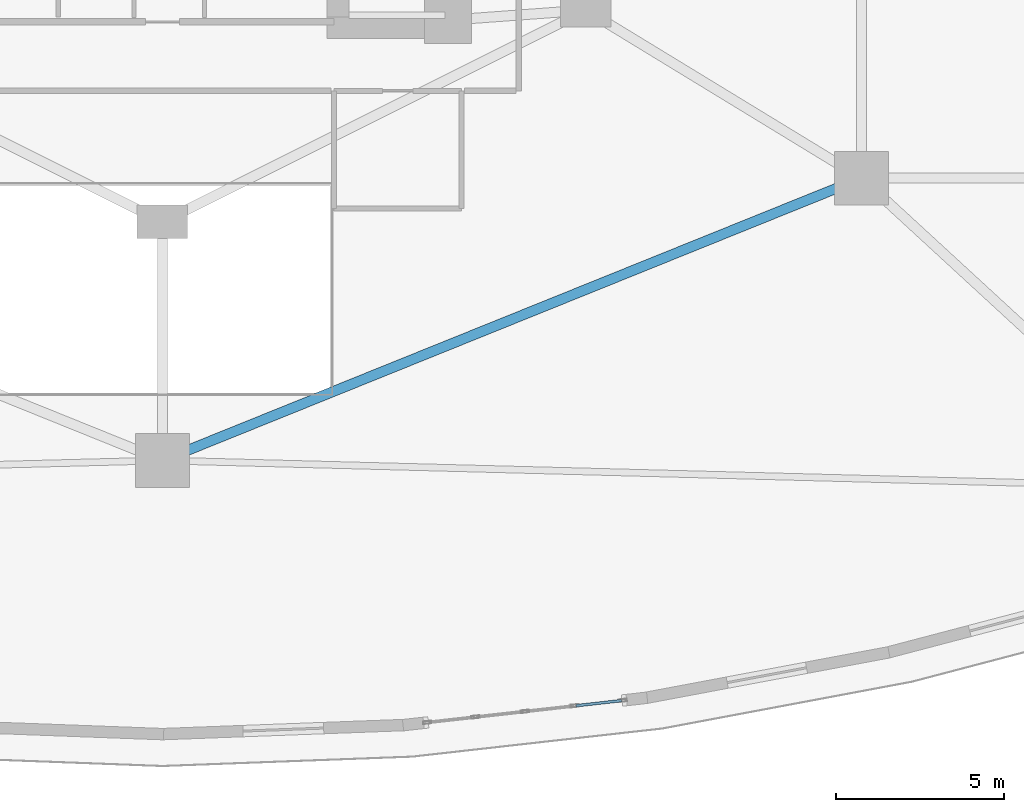
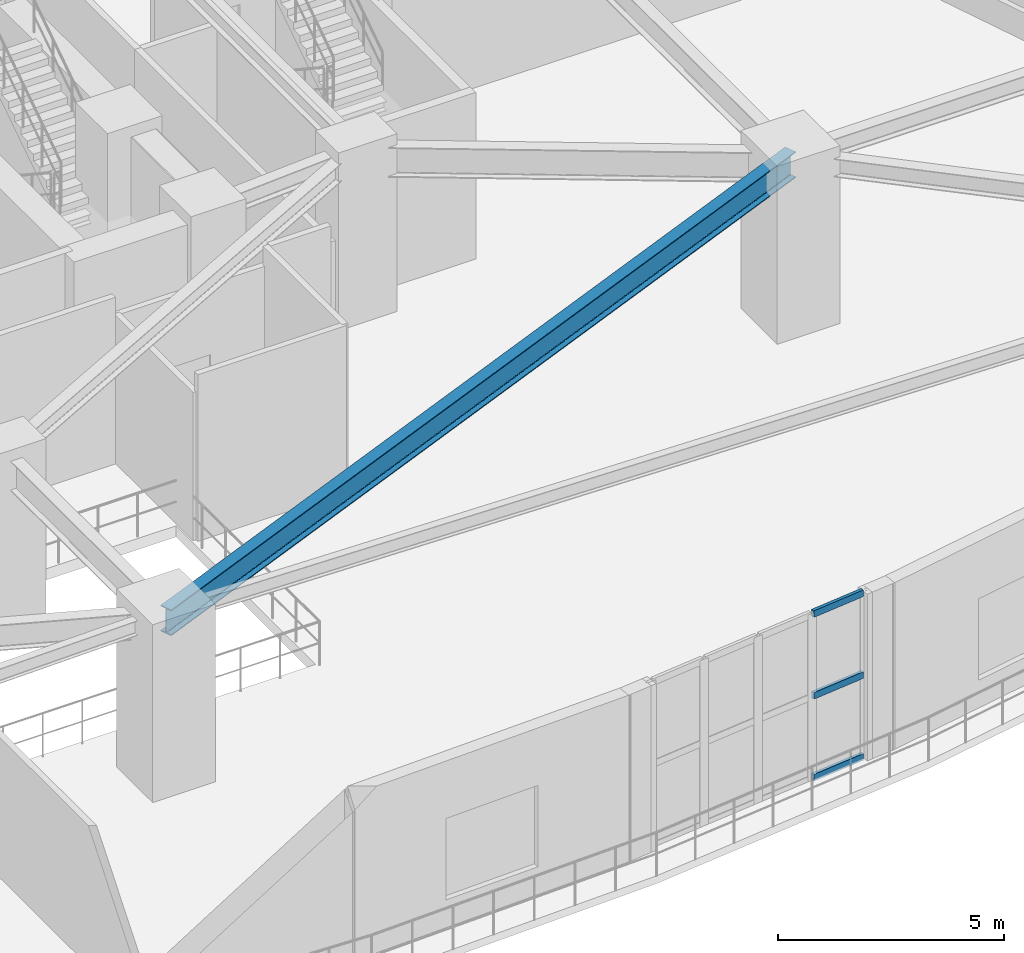
# One storey, part 7 of 25: 3 members, 1 beam, 1 element without a shape of its own.
"""IFC4 building model written with IfcOpenShell, lengths in metres."""

from ifc_helpers import new_model, si_unit, direction, frame, origin, origin_2d, place, context, subcontext, project, spatial, hollow_rectangle, i_section, extrude, material, layer, layer_set, material_profile, profile_set, type_object, element, aggregate, save


model = new_model("IFC4")

# Units and contexts
model_context = context("Model", 3, precision=1e-05, world=origin(), true_north=direction((0.0, 1.0)))
body_context = subcontext(model_context, "Body", "Model", "MODEL_VIEW")
ifc_project = project(units=[si_unit("LENGTHUNIT", "METRE"), si_unit("AREAUNIT", "SQUARE_METRE"), si_unit("VOLUMEUNIT", "CUBIC_METRE"), si_unit("PLANEANGLEUNIT", "RADIAN"), si_unit("MASSUNIT", "GRAM", prefix="KILO")], contexts=[model_context])

# Site, building, storey
site_placement = place(None, origin())
site = spatial("IfcSite", under=ifc_project, at=site_placement, CompositionType="ELEMENT")
building_placement = place(site_placement, origin())
building = spatial("IfcBuilding", under=site, at=building_placement, Name="Miruveldt Soraemaru", CompositionType="ELEMENT")
storey_placement = place(building_placement, frame((0.0, 0.0, 4.800048828125)))
storey = spatial("IfcBuildingStorey", under=building, at=storey_placement, Name="L02", CompositionType="ELEMENT", Elevation=4.800048828125)

# Beam
ifc_material_1 = material(Name="Steel SM355 (355 MPa)", Category="steel")
ifc_material_profile_1 = material_profile(ifc_material_1, i_section(OverallWidth=0.300048828125, OverallDepth=0.699951171875, WebThickness=0.012939453125, FlangeThickness=0.02392578125, FilletRadius=0.028076171875, at=origin_2d()), Name="Steel SM355 (355 MPa)", Category="steel")
ifc_profile_set_1 = profile_set([ifc_material_profile_1], Name="Steel SM355 (355 MPa)")
beam_type = type_object("IfcBeamType", Name="BM-ST-H700", PredefinedType="BEAM", material=ifc_profile_set_1)
beam_placement = place(storey_placement, frame((64.800048828125, 30.800048828125, 4.14990234375), z_axis=(-0.927239874954, -0.374467908231, 0.0), x_axis=(0.374467908231, -0.927239874954, 0.0)))
element("IfcBeam", 1, at=beam_placement, inside=storey, type_object=beam_type, Name="L02 Podium Ring Girder 3", PredefinedType="BEAM", context=body_context, shape_type="SweptSolid", body=[
    extrude(i_section(OverallWidth=0.300048828125, OverallDepth=0.699951171875, WebThickness=0.012939453125, FlangeThickness=0.02392578125, FilletRadius=0.028076171875, at=origin_2d()), origin(), (0.0, 0.0, 1.0), 22.43212890625),
])

# Curtain wall, members
ifc_material_2 = material(Name="Anodised aluminium EN AW-6063 T6", Category="aluminium")
ifc_layer = layer(ifc_material_2, 0.239990234375, Name="Anodised aluminium EN AW-6063 T6", Category="aluminium")
ifc_layer_set = layer_set([ifc_layer], Name="Anodised aluminium EN AW-6063 T6")
curtain_wall_type = type_object("IfcCurtainWallType", Name="CW-SYS-1", PredefinedType="USERDEFINED", material=ifc_layer_set)
curtain_wall_placement = place(storey_placement, origin())
curtain_wall = element("IfcCurtainWall", 2, at=curtain_wall_placement, inside=storey, type_object=curtain_wall_type, Name="L02 Curtain Wall Bay 26", ObjectType="STOREFRONT", PredefinedType="USERDEFINED")
ifc_material_profile_2 = material_profile(ifc_material_2, hollow_rectangle(XDim=0.080078125, YDim=0.179931640625, WallThickness=0.00390625, at=origin_2d()), Name="Anodised aluminium EN AW-6063 T6", Category="aluminium")
ifc_profile_set_2 = profile_set([ifc_material_profile_2], Name="Anodised aluminium EN AW-6063 T6")
member_type = type_object("IfcMemberType", Name="CWT-1", PredefinedType="USERDEFINED", material=ifc_profile_set_2)
member_1_placement = place(storey_placement, frame((56.3056640625, 15.103271484375, 0.0400390625), z_axis=(0.993730074002, 0.111805813907, 0.0), x_axis=(-0.111805813907, 0.993730074002, 0.0)))
member_1 = element("IfcMember", 3, at=member_1_placement, type_object=member_type, Name="CW-1 transom 4.1", ObjectType="TRANSOM", PredefinedType="USERDEFINED", context=body_context, shape_type="SweptSolid", body=[
    extrude(hollow_rectangle(XDim=0.080078125, YDim=0.179931640625, WallThickness=0.00390625, at=origin_2d()), origin(), (0.0, 0.0, 1.0), 1.36474609375),
])
member_2_placement = place(storey_placement, frame((56.3056640625, 15.103271484375, 2.25), z_axis=(0.993730074002, 0.111805813907, 0.0), x_axis=(-0.111805813907, 0.993730074002, 0.0)))
member_2 = element("IfcMember", 4, at=member_2_placement, type_object=member_type, Name="CW-1 transom 4.2", ObjectType="TRANSOM", PredefinedType="USERDEFINED", context=body_context, shape_type="SweptSolid", body=[
    extrude(hollow_rectangle(XDim=0.080078125, YDim=0.179931640625, WallThickness=0.00390625, at=origin_2d()), origin(), (0.0, 0.0, 1.0), 1.36474609375),
])
member_3_placement = place(storey_placement, frame((56.3056640625, 15.103271484375, 4.4599609375), z_axis=(0.993730074002, 0.111805813907, 0.0), x_axis=(-0.111805813907, 0.993730074002, 0.0)))
member_3 = element("IfcMember", 5, at=member_3_placement, type_object=member_type, Name="CW-1 transom 4.3", ObjectType="TRANSOM", PredefinedType="USERDEFINED", context=body_context, shape_type="SweptSolid", body=[
    extrude(hollow_rectangle(XDim=0.080078125, YDim=0.179931640625, WallThickness=0.00390625, at=origin_2d()), origin(), (0.0, 0.0, 1.0), 1.36474609375),
])
aggregate(curtain_wall, [member_1, member_2, member_3])

save(model, "model.ifc")
